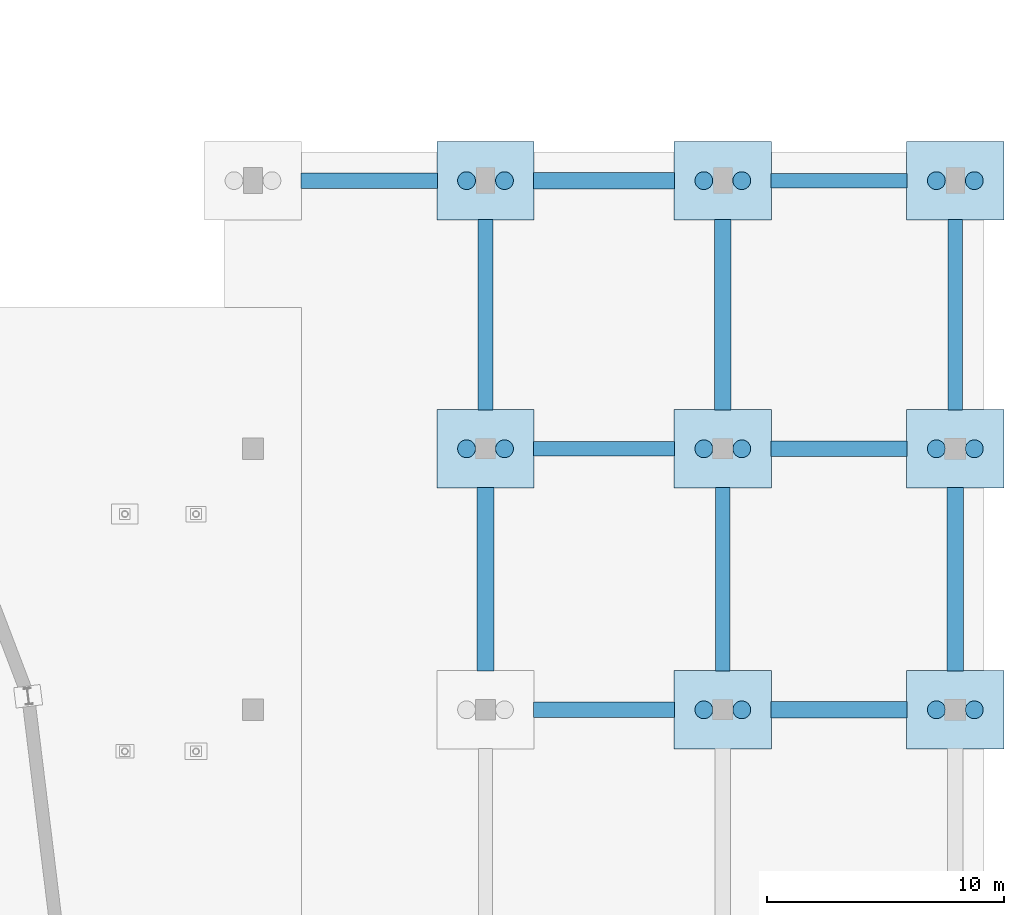
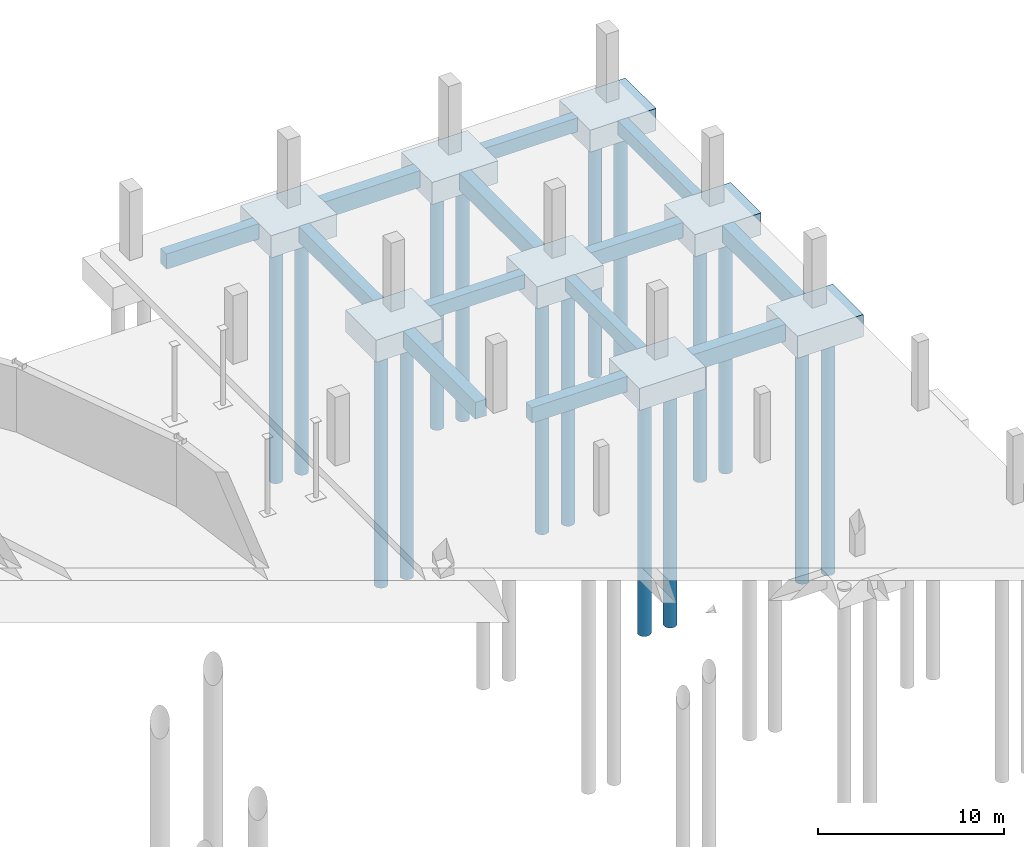
# One storey, part 7 of 55: 21 footings, 16 piles.
"""IFC4 building model written with IfcOpenShell, lengths in metres."""

from ifc_helpers import new_model, si_unit, direction, frame, origin, origin_2d, place, context, subcontext, project, spatial, rectangle, circle, extrude, material, material_profile, profile_set, type_object, element, save


model = new_model("IFC4")

# Units and contexts
model_context = context("Model", 3, precision=1e-05, world=origin(), true_north=direction((0.0, 1.0)))
body_context = subcontext(model_context, "Body", "Model", "MODEL_VIEW")
ifc_project = project(units=[si_unit("LENGTHUNIT", "METRE"), si_unit("AREAUNIT", "SQUARE_METRE"), si_unit("VOLUMEUNIT", "CUBIC_METRE"), si_unit("PLANEANGLEUNIT", "RADIAN"), si_unit("MASSUNIT", "GRAM", prefix="KILO")], contexts=[model_context])

# Site, building, storey
site_placement = place(None, origin())
site = spatial("IfcSite", under=ifc_project, at=site_placement, CompositionType="ELEMENT")
building_placement = place(site_placement, origin())
building = spatial("IfcBuilding", under=site, at=building_placement, Name="Sohan Crest Arena", CompositionType="ELEMENT")
storey_placement = place(building_placement, frame((0.0, 0.0, -4.5)))
storey = spatial("IfcBuildingStorey", under=building, at=storey_placement, Name="B1", CompositionType="ELEMENT", Elevation=-4.5)

# Footings
ifc_material = material(Name="Concrete C40/50", Category="concrete")
ifc_material_profile_1 = material_profile(ifc_material, rectangle(XDim=0.60009765625, YDim=0.89990234375, at=origin_2d()), Name="RC-FB 600x900")
ifc_profile_set_1 = profile_set([ifc_material_profile_1], Name="Concrete C40/50")
footing_type_1 = type_object("IfcFootingType", Name="FND-FB01", PredefinedType="FOOTING_BEAM", material=ifc_profile_set_1)
footing_1_placement = place(storey_placement, frame((208.030029296875, 99.5, -1.0), z_axis=(1.0, 0.0, 0.0), x_axis=(0.0, 1.0, 0.0)))
element("IfcFooting", 1, at=footing_1_placement, inside=storey, type_object=footing_type_1, Name="Continuous RC footing tie beam FB-216", PredefinedType="FOOTING_BEAM", context=body_context, shape_type="SweptSolid", body=[
    extrude(rectangle(XDim=0.60009765625, YDim=0.89990234375, at=origin_2d()), origin(), (0.0, 0.0, 1.0), 5.93994140625),
])
footing_2_placement = place(storey_placement, frame((216.0, 90.1298828125, -1.0), z_axis=(0.0, 1.0, 0.0), x_axis=(-1.0, 0.0, 0.0)))
element("IfcFooting", 2, at=footing_2_placement, inside=storey, type_object=footing_type_1, Name="Continuous RC footing tie beam FB-228", PredefinedType="FOOTING_BEAM", context=body_context, shape_type="SweptSolid", body=[
    extrude(rectangle(XDim=0.60009765625, YDim=0.89990234375, at=origin_2d()), origin(), (0.0, 0.0, 1.0), 7.740234375),
])
footing_3_placement = place(storey_placement, frame((218.030029296875, 110.800048828125, -1.0), z_axis=(1.0, 0.0, 0.0), x_axis=(0.0, 1.0, 0.0)))
element("IfcFooting", 3, at=footing_3_placement, inside=storey, type_object=footing_type_1, Name="Continuous RC footing tie beam FB-231", PredefinedType="FOOTING_BEAM", context=body_context, shape_type="SweptSolid", body=[
    extrude(rectangle(XDim=0.60009765625, YDim=0.89990234375, at=origin_2d()), origin(), (0.0, 0.0, 1.0), 5.739990234375),
])
footing_4_placement = place(storey_placement, frame((225.800048828125, 101.1298828125, -1.0), z_axis=(0.0, 1.0, 0.0), x_axis=(-1.0, 0.0, 0.0)))
element("IfcFooting", 4, at=footing_4_placement, inside=storey, type_object=footing_type_1, Name="Continuous RC footing tie beam FB-237", PredefinedType="FOOTING_BEAM", context=body_context, shape_type="SweptSolid", body=[
    extrude(rectangle(XDim=0.60009765625, YDim=0.89990234375, at=origin_2d()), origin(), (0.0, 0.0, 1.0), 8.0400390625),
])
ifc_material_profile_2 = material_profile(ifc_material, rectangle(XDim=0.64990234375, YDim=1.0, at=origin_2d()), Name="RC-FB 650x1000")
ifc_profile_set_2 = profile_set([ifc_material_profile_2], Name="Concrete C40/50")
footing_type_2 = type_object("IfcFootingType", Name="FND-FB02", PredefinedType="FOOTING_BEAM", material=ifc_profile_set_2)
footing_5_placement = place(storey_placement, frame((198.22998046875, 110.800048828125, -1.050048828125), z_axis=(1.0, 0.0, 0.0), x_axis=(0.0, 1.0, 0.0)))
element("IfcFooting", 5, at=footing_5_placement, inside=storey, type_object=footing_type_2, Name="Continuous RC footing tie beam FB-205", PredefinedType="FOOTING_BEAM", context=body_context, shape_type="SweptSolid", body=[
    extrude(rectangle(XDim=0.64990234375, YDim=1.0, at=origin_2d()), origin(), (0.0, 0.0, 1.0), 5.739990234375),
])
footing_6_placement = place(storey_placement, frame((208.030029296875, 88.5, -1.050048828125), z_axis=(1.0, 0.0, 0.0), x_axis=(0.0, 1.0, 0.0)))
element("IfcFooting", 6, at=footing_6_placement, inside=storey, type_object=footing_type_2, Name="Continuous RC footing tie beam FB-214", PredefinedType="FOOTING_BEAM", context=body_context, shape_type="SweptSolid", body=[
    extrude(rectangle(XDim=0.64990234375, YDim=1.0, at=origin_2d()), origin(), (0.0, 0.0, 1.0), 5.93994140625),
])
footing_7_placement = place(storey_placement, frame((206.0, 101.1298828125, -1.050048828125), z_axis=(0.0, 1.0, 0.0), x_axis=(-1.0, 0.0, 0.0)))
element("IfcFooting", 7, at=footing_7_placement, inside=storey, type_object=footing_type_2, Name="Continuous RC footing tie beam FB-217", PredefinedType="FOOTING_BEAM", context=body_context, shape_type="SweptSolid", body=[
    extrude(rectangle(XDim=0.64990234375, YDim=1.0, at=origin_2d()), origin(), (0.0, 0.0, 1.0), 8.0400390625),
])
footing_8_placement = place(storey_placement, frame((218.030029296875, 99.5, -1.050048828125), z_axis=(1.0, 0.0, 0.0), x_axis=(0.0, 1.0, 0.0)))
element("IfcFooting", 8, at=footing_8_placement, inside=storey, type_object=footing_type_2, Name="Continuous RC footing tie beam FB-229", PredefinedType="FOOTING_BEAM", context=body_context, shape_type="SweptSolid", body=[
    extrude(rectangle(XDim=0.64990234375, YDim=1.0, at=origin_2d()), origin(), (0.0, 0.0, 1.0), 5.739990234375),
])
ifc_material_profile_3 = material_profile(ifc_material, rectangle(XDim=0.699951171875, YDim=1.10009765625, at=origin_2d()), Name="RC-FB 700x1100")
ifc_profile_set_3 = profile_set([ifc_material_profile_3], Name="Concrete C40/50")
footing_type_3 = type_object("IfcFootingType", Name="FND-FB03", PredefinedType="FOOTING_BEAM", material=ifc_profile_set_3)
footing_9_placement = place(storey_placement, frame((206.0, 90.1298828125, -1.10009765625), z_axis=(0.0, 1.0, 0.0), x_axis=(-1.0, 0.0, 0.0)))
element("IfcFooting", 9, at=footing_9_placement, inside=storey, type_object=footing_type_3, Name="Continuous RC footing tie beam FB-215", PredefinedType="FOOTING_BEAM", context=body_context, shape_type="SweptSolid", body=[
    extrude(rectangle(XDim=0.699951171875, YDim=1.10009765625, at=origin_2d()), origin(), (0.0, 0.0, 1.0), 7.740234375),
])
footing_10_placement = place(storey_placement, frame((208.030029296875, 110.800048828125, -1.10009765625), z_axis=(1.0, 0.0, 0.0), x_axis=(0.0, 1.0, 0.0)))
element("IfcFooting", 10, at=footing_10_placement, inside=storey, type_object=footing_type_3, Name="Continuous RC footing tie beam FB-218", PredefinedType="FOOTING_BEAM", context=body_context, shape_type="SweptSolid", body=[
    extrude(rectangle(XDim=0.699951171875, YDim=1.10009765625, at=origin_2d()), origin(), (0.0, 0.0, 1.0), 5.93994140625),
])
footing_11_placement = place(storey_placement, frame((218.030029296875, 88.5, -1.10009765625), z_axis=(1.0, 0.0, 0.0), x_axis=(0.0, 1.0, 0.0)))
element("IfcFooting", 11, at=footing_11_placement, inside=storey, type_object=footing_type_3, Name="Continuous RC footing tie beam FB-227", PredefinedType="FOOTING_BEAM", context=body_context, shape_type="SweptSolid", body=[
    extrude(rectangle(XDim=0.699951171875, YDim=1.10009765625, at=origin_2d()), origin(), (0.0, 0.0, 1.0), 5.739990234375),
])
footing_12_placement = place(storey_placement, frame((216.0, 101.1298828125, -1.10009765625), z_axis=(0.0, 1.0, 0.0), x_axis=(-1.0, 0.0, 0.0)))
element("IfcFooting", 12, at=footing_12_placement, inside=storey, type_object=footing_type_3, Name="Continuous RC footing tie beam FB-230", PredefinedType="FOOTING_BEAM", context=body_context, shape_type="SweptSolid", body=[
    extrude(rectangle(XDim=0.699951171875, YDim=1.10009765625, at=origin_2d()), origin(), (0.0, 0.0, 1.0), 8.0400390625),
])
footing_13_placement = place(storey_placement, frame((225.800048828125, 90.1298828125, -1.10009765625), z_axis=(0.0, 1.0, 0.0), x_axis=(-1.0, 0.0, 0.0)))
element("IfcFooting", 13, at=footing_13_placement, inside=storey, type_object=footing_type_3, Name="Continuous RC footing tie beam FB-236", PredefinedType="FOOTING_BEAM", context=body_context, shape_type="SweptSolid", body=[
    extrude(rectangle(XDim=0.699951171875, YDim=1.10009765625, at=origin_2d()), origin(), (0.0, 0.0, 1.0), 7.740234375),
])

# Piles
ifc_material_profile_4 = material_profile(ifc_material, circle(Radius=0.375, at=origin_2d()), Name="PILE D750")
ifc_profile_set_4 = profile_set([ifc_material_profile_4], Name="Concrete C40/50")
pile_type = type_object("IfcPileType", Name="FND-P03", PredefinedType="BORED", material=ifc_profile_set_4)
for number, where, z_axis, x_axis, name in (
    (14, (205.199951171875, 99.5, -18.0), (0.0, 0.0, 1.0), (1.0, 0.0, 0.0), "Bored Concrete C40/50 pile P-145-1"),
    (15, (206.800048828125, 99.5, -18.0), (0.0, 0.0, 1.0), (1.0, 0.0, 0.0), "Bored Concrete C40/50 pile P-145-2"),
    (16, (205.199951171875, 110.800048828125, -18.0), (0.0, 0.0, 1.0), (1.0, 0.0, 0.0), "Bored Concrete C40/50 pile P-146-1"),
    (17, (206.800048828125, 110.800048828125, -18.0), (0.0, 0.0, 1.0), (1.0, 0.0, 0.0), "Bored Concrete C40/50 pile P-146-2"),
    (18, (215.199951171875, 88.5, -18.0), (0.0, 0.0, 1.0), (1.0, 0.0, 0.0), "Bored Concrete C40/50 pile P-151-1"),
    (19, (216.800048828125, 88.5, -18.0), (0.0, 0.0, 1.0), (1.0, 0.0, 0.0), "Bored Concrete C40/50 pile P-151-2"),
    (20, (215.199951171875, 99.5, -18.0), (0.0, 0.0, 1.0), (1.0, 0.0, 0.0), "Bored Concrete C40/50 pile P-152-1"),
    (21, (216.800048828125, 99.5, -18.0), (0.0, 0.0, 1.0), (1.0, 0.0, 0.0), "Bored Concrete C40/50 pile P-152-2"),
    (22, (215.199951171875, 110.800048828125, -18.0), (0.0, 0.0, 1.0), (1.0, 0.0, 0.0), "Bored Concrete C40/50 pile P-153-1"),
    (23, (216.800048828125, 110.800048828125, -18.0), (0.0, 0.0, 1.0), (1.0, 0.0, 0.0), "Bored Concrete C40/50 pile P-153-2"),
    (24, (225.0, 88.5, -18.0), (0.0, 0.0, 1.0), (1.0, 0.0, 0.0), "Bored Concrete C40/50 pile P-158-1"),
    (25, (226.60009765625, 88.5, -18.0), (0.0, 0.0, 1.0), (1.0, 0.0, 0.0), "Bored Concrete C40/50 pile P-158-2"),
    (26, (225.0, 99.5, -18.0), (0.0, 0.0, 1.0), (1.0, 0.0, 0.0), "Bored Concrete C40/50 pile P-159-1"),
    (27, (226.60009765625, 99.5, -18.0), (0.0, 0.0, 1.0), (1.0, 0.0, 0.0), "Bored Concrete C40/50 pile P-159-2"),
    (28, (225.0, 110.800048828125, -18.0), (0.0, 0.0, 1.0), (1.0, 0.0, 0.0), "Bored Concrete C40/50 pile P-160-1"),
    (29, (226.60009765625, 110.800048828125, -18.0), (0.0, 0.0, 1.0), (1.0, 0.0, 0.0), "Bored Concrete C40/50 pile P-160-2"),
):
    element("IfcPile", number, at=place(storey_placement, frame(where, z_axis=z_axis, x_axis=x_axis)), inside=storey, type_object=pile_type, Name=name, PredefinedType="BORED", context=body_context, shape_type="SweptSolid", body=[
        extrude(circle(Radius=0.375, at=origin_2d()), origin(), (0.0, 0.0, 1.0), 16.1201171875),
    ])

# Footings
footing_type_4 = type_object("IfcFootingType", Name="FND-PC02", PredefinedType="PILE_CAP", material=ifc_material)
for number, where, z_axis, x_axis, name in (
    (30, (206.0, 99.5, -2.0), (0.0, 0.0, 1.0), (1.0, 0.0, 0.0), "Reinforced concrete pile cap PC-145"),
    (31, (206.0, 110.800048828125, -2.0), (0.0, 0.0, 1.0), (1.0, 0.0, 0.0), "Reinforced concrete pile cap PC-146"),
    (32, (216.0, 88.5, -2.0), (0.0, 0.0, 1.0), (1.0, 0.0, 0.0), "Reinforced concrete pile cap PC-151"),
    (33, (216.0, 99.5, -2.0), (0.0, 0.0, 1.0), (1.0, 0.0, 0.0), "Reinforced concrete pile cap PC-152"),
    (34, (216.0, 110.800048828125, -2.0), (0.0, 0.0, 1.0), (1.0, 0.0, 0.0), "Reinforced concrete pile cap PC-153"),
    (35, (225.800048828125, 88.5, -2.0), (0.0, 0.0, 1.0), (1.0, 0.0, 0.0), "Reinforced concrete pile cap PC-158"),
    (36, (225.800048828125, 99.5, -2.0), (0.0, 0.0, 1.0), (1.0, 0.0, 0.0), "Reinforced concrete pile cap PC-159"),
    (37, (225.800048828125, 110.800048828125, -2.0), (0.0, 0.0, 1.0), (1.0, 0.0, 0.0), "Reinforced concrete pile cap PC-160"),
):
    element("IfcFooting", number, at=place(storey_placement, frame(where, z_axis=z_axis, x_axis=x_axis)), inside=storey, type_object=footing_type_4, Name=name, PredefinedType="PILE_CAP", context=body_context, shape_type="SweptSolid", body=[
        extrude(rectangle(XDim=4.10009765625, YDim=3.300048828125, at=origin_2d()), origin(), (0.0, 0.0, 1.0), 1.449951171875),
    ])

save(model, "model.ifc")
